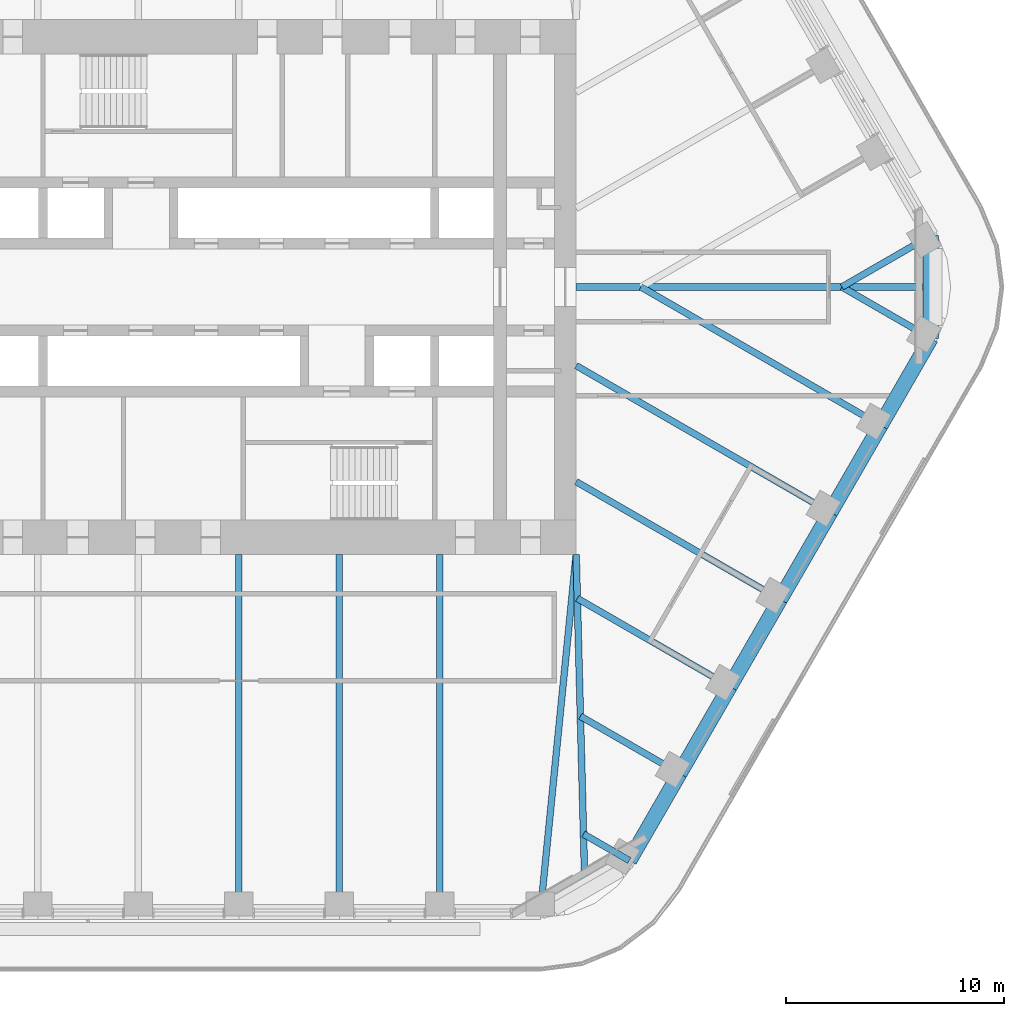
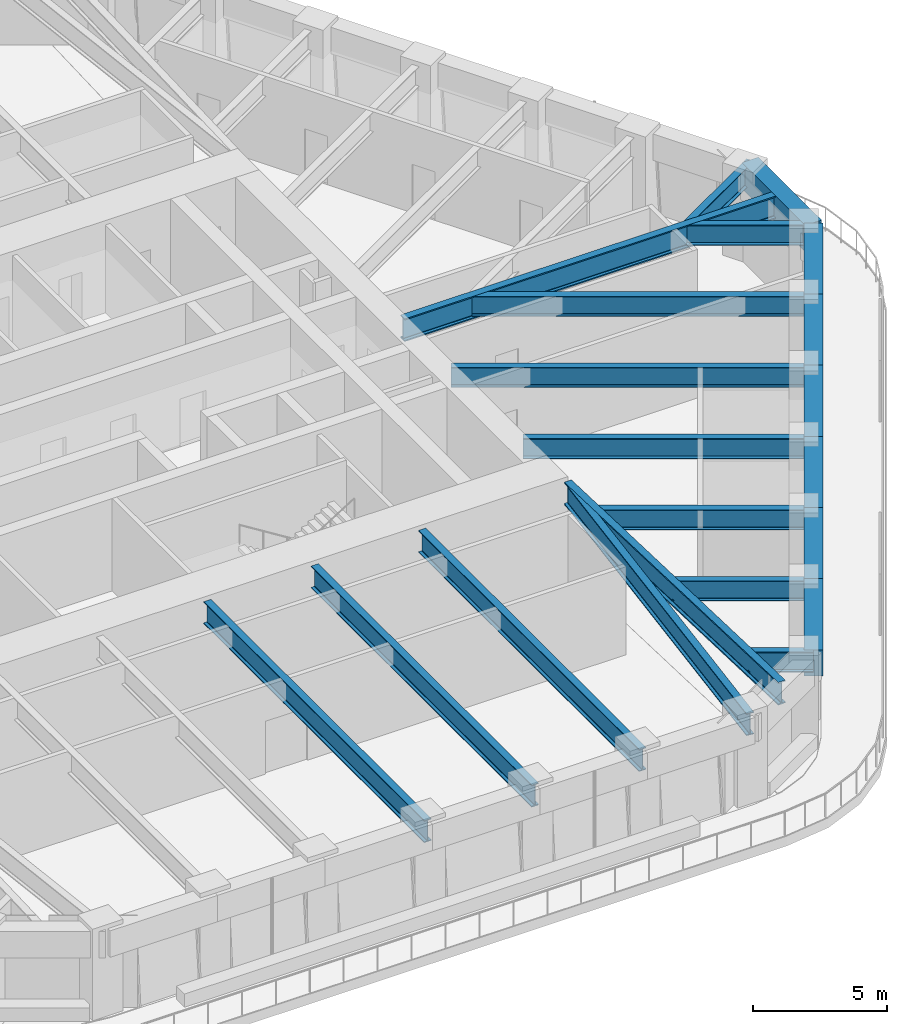
# One storey, part 5 of 20: 21 beams.
"""IFC4 building model written with IfcOpenShell, lengths in metres."""

from ifc_helpers import new_model, si_unit, direction, frame, origin, origin_2d, place, context, subcontext, project, spatial, rectangle, i_section, extrude, material, material_profile, profile_set, type_object, element, save


model = new_model("IFC4")

# Units and contexts
model_context = context("Model", 3, precision=1e-05, world=origin(), true_north=direction((0.0, 1.0)))
body_context = subcontext(model_context, "Body", "Model", "MODEL_VIEW")
ifc_project = project(units=[si_unit("LENGTHUNIT", "METRE"), si_unit("AREAUNIT", "SQUARE_METRE"), si_unit("VOLUMEUNIT", "CUBIC_METRE"), si_unit("PLANEANGLEUNIT", "RADIAN"), si_unit("MASSUNIT", "GRAM", prefix="KILO")], contexts=[model_context])

# Site, building, storey
site_placement = place(None, origin())
site = spatial("IfcSite", under=ifc_project, at=site_placement, CompositionType="ELEMENT")
building_placement = place(site_placement, origin())
building = spatial("IfcBuilding", under=site, at=building_placement, Name="Tarfa Lantern Tower", CompositionType="ELEMENT")
storey_placement = place(building_placement, frame((0.0, 0.0, 240.699951171875)))
storey = spatial("IfcBuildingStorey", under=building, at=storey_placement, Name="L54", CompositionType="ELEMENT", Elevation=240.699951171875)

# Beams
ifc_material_1 = material(Name="Concrete C80/95", Category="concrete")
ifc_material_profile_1 = material_profile(ifc_material_1, rectangle(XDim=0.699951171875, YDim=1.199951171875, at=origin_2d()), Name="RC 700x1200")
ifc_profile_set_1 = profile_set([ifc_material_profile_1], Name="Concrete C80/95")
beam_type_1 = type_object("IfcBeamType", Name="EB3 RC 700x1200", PredefinedType="SPANDREL", material=ifc_profile_set_1)
for number, where, z_axis, x_axis, name in (
    (1, (17.944091796875, -26.360107421875, 3.400146484375), (0.499987836815, 0.866032426089, 0.0), (-0.866032426089, 0.499987836815, 0.0), "Edge beam SE0"),
    (2, (20.25341796875, -22.360107421875, 3.400146484375), (0.499987836815, 0.866032426089, 0.0), (-0.866032426089, 0.499987836815, 0.0), "Edge beam SE1"),
):
    element("IfcBeam", number, at=place(storey_placement, frame(where, z_axis=z_axis, x_axis=x_axis)), inside=storey, type_object=beam_type_1, Name=name, PredefinedType="SPANDREL", context=body_context, shape_type="SweptSolid", body=[
        extrude(rectangle(XDim=0.699951171875, YDim=1.199951171875, at=origin_2d()), origin(), (0.0, 0.0, 1.0), 4.61865234375),
    ])
beam_1_placement = place(storey_placement, frame((22.562744140625, -18.360107421875, 3.400146484375), z_axis=(0.500027479704, 0.866009537788, 0.0), x_axis=(-0.866009537788, 0.500027479704, 0.0)))
element("IfcBeam", 3, at=beam_1_placement, inside=storey, type_object=beam_type_1, Name="Edge beam SE2", PredefinedType="SPANDREL", context=body_context, shape_type="SweptSolid", body=[
    extrude(rectangle(XDim=0.699951171875, YDim=1.199951171875, at=origin_2d()), origin(), (0.0, 0.0, 1.0), 4.618896484375),
])
for number, where, z_axis, x_axis, name in (
    (4, (24.872314453125, -14.360107421875, 3.400146484375), (0.499987836815, 0.866032426089, 0.0), (-0.866032426089, 0.499987836815, 0.0), "Edge beam SE3"),
    (5, (27.181640625, -10.360107421875, 3.400146484375), (0.499987836815, 0.866032426089, 0.0), (-0.866032426089, 0.499987836815, 0.0), "Edge beam SE4"),
):
    element("IfcBeam", number, at=place(storey_placement, frame(where, z_axis=z_axis, x_axis=x_axis)), inside=storey, type_object=beam_type_1, Name=name, PredefinedType="SPANDREL", context=body_context, shape_type="SweptSolid", body=[
        extrude(rectangle(XDim=0.699951171875, YDim=1.199951171875, at=origin_2d()), origin(), (0.0, 0.0, 1.0), 4.61865234375),
    ])
beam_2_placement = place(storey_placement, frame((29.490966796875, -6.360107421875, 3.400146484375), z_axis=(0.500027479704, 0.866009537788, 0.0), x_axis=(-0.866009537788, 0.500027479704, 0.0)))
element("IfcBeam", 6, at=beam_2_placement, inside=storey, type_object=beam_type_1, Name="Edge beam SE5", PredefinedType="SPANDREL", context=body_context, shape_type="SweptSolid", body=[
    extrude(rectangle(XDim=0.699951171875, YDim=1.199951171875, at=origin_2d()), origin(), (0.0, 0.0, 1.0), 4.618896484375),
])
beam_3_placement = place(storey_placement, frame((31.800537109375, -2.360107421875, 3.400146484375), z_axis=(0.0, 1.0, 0.0), x_axis=(-1.0, 0.0, 0.0)))
element("IfcBeam", 7, at=beam_3_placement, inside=storey, type_object=beam_type_1, Name="Edge beam SE6", PredefinedType="SPANDREL", context=body_context, shape_type="SweptSolid", body=[
    extrude(rectangle(XDim=0.699951171875, YDim=1.199951171875, at=origin_2d()), origin(), (0.0, 0.0, 1.0), 4.72021484375),
])
ifc_material_2 = material(Name="Steel S460M", Category="steel")
ifc_material_profile_2 = material_profile(ifc_material_2, i_section(OverallWidth=0.302001953125, OverallDepth=1.008056640625, WebThickness=0.02099609375, FlangeThickness=0.0400390625, FilletRadius=0.030029296875, at=origin_2d()), Name="UB1016x305x349")
ifc_profile_set_2 = profile_set([ifc_material_profile_2], Name="Steel S460M")
beam_type_2 = type_object("IfcBeamType", Name="UB1016x305x349", PredefinedType="BEAM", material=ifc_profile_set_2)
for number, where, z_axis, x_axis, name in (
    (8, (0.0, -28.719970703125, 3.49609375), (0.0, 1.0, 0.0), (-1.0, 0.0, 0.0), "Floor beam S3"),
    (9, (4.618896484375, -28.719970703125, 3.49609375), (0.0, 1.0, 0.0), (-1.0, 0.0, 0.0), "Floor beam S4"),
    (10, (9.237548828125, -28.719970703125, 3.49609375), (0.0, 1.0, 0.0), (-1.0, 0.0, 0.0), "Floor beam S5"),
):
    element("IfcBeam", number, at=place(storey_placement, frame(where, z_axis=z_axis, x_axis=x_axis)), inside=storey, type_object=beam_type_2, Name=name, PredefinedType="BEAM", context=body_context, shape_type="SweptSolid", body=[
        extrude(i_section(OverallWidth=0.302001953125, OverallDepth=1.008056640625, WebThickness=0.02099609375, FlangeThickness=0.0400390625, FilletRadius=0.030029296875, at=origin_2d()), origin(), (0.0, 0.0, 1.0), 16.419921875),
    ])
beam_4_placement = place(storey_placement, frame((13.8564453125, -28.719970703125, 3.49609375), z_axis=(0.099597466746, 0.995027810977, 0.0), x_axis=(-0.995027810977, 0.099597466746, 0.0)))
element("IfcBeam", 11, at=beam_4_placement, inside=storey, type_object=beam_type_2, Name="Floor beam S6", PredefinedType="BEAM", context=body_context, shape_type="SweptSolid", body=[
    extrude(i_section(OverallWidth=0.302001953125, OverallDepth=1.008056640625, WebThickness=0.02099609375, FlangeThickness=0.0400390625, FilletRadius=0.030029296875, at=origin_2d()), origin(), (0.0, 0.0, 1.0), 16.501953125),
])
ifc_material_profile_3 = material_profile(ifc_material_2, i_section(OverallWidth=0.30859375, OverallDepth=1.036376953125, WebThickness=0.030029296875, FlangeThickness=0.05419921875, FilletRadius=0.030029296875, at=origin_2d()), Name="UB1016x305x487")
ifc_profile_set_3 = profile_set([ifc_material_profile_3], Name="Steel S460M")
beam_type_3 = type_object("IfcBeamType", Name="UB1016x305x487", PredefinedType="BEAM", material=ifc_profile_set_3)
beam_5_placement = place(storey_placement, frame((15.5, 0.0, 3.48193359375), z_axis=(1.0, 0.0, 0.0), x_axis=(0.0, 1.0, 0.0)))
element("IfcBeam", 12, at=beam_5_placement, inside=storey, type_object=beam_type_3, Name="Hip girder E", PredefinedType="BEAM", context=body_context, shape_type="SweptSolid", body=[
    extrude(i_section(OverallWidth=0.30859375, OverallDepth=1.036376953125, WebThickness=0.030029296875, FlangeThickness=0.05419921875, FilletRadius=0.030029296875, at=origin_2d()), origin(), (0.0, 0.0, 1.0), 16.300537109375),
])
beam_6_placement = place(storey_placement, frame((15.5, -12.300048828125, 3.48193359375), z_axis=(0.026247301989, -0.999655480222, 0.0), x_axis=(0.999655480222, 0.026247301989, 0.0)))
element("IfcBeam", 13, at=beam_6_placement, inside=storey, type_object=beam_type_3, Name="Hip girder SE", PredefinedType="BEAM", context=body_context, shape_type="SweptSolid", body=[
    extrude(i_section(OverallWidth=0.30859375, OverallDepth=1.036376953125, WebThickness=0.030029296875, FlangeThickness=0.05419921875, FilletRadius=0.030029296875, at=origin_2d()), origin(), (0.0, 0.0, 1.0), 15.245361328125),
])
ifc_material_profile_4 = material_profile(ifc_material_2, i_section(OverallWidth=0.305419921875, OverallDepth=0.91845703125, WebThickness=0.017333984375, FlangeThickness=0.02783203125, FilletRadius=0.01904296875, at=origin_2d()), Name="UB914x305x253")
ifc_profile_set_4 = profile_set([ifc_material_profile_4], Name="Steel S460M")
beam_type_4 = type_object("IfcBeamType", Name="UB914x305x253", PredefinedType="BEAM", material=ifc_profile_set_4)
beam_7_placement = place(storey_placement, frame((31.800537109375, 2.360107421875, 3.540771484375), z_axis=(-0.866015897305, -0.500016465344, 0.0), x_axis=(0.500016465344, -0.866015897305, 0.0)))
element("IfcBeam", 14, at=beam_7_placement, inside=storey, type_object=beam_type_4, Name="Floor beam NE0", PredefinedType="BEAM", context=body_context, shape_type="SweptSolid", body=[
    extrude(i_section(OverallWidth=0.305419921875, OverallDepth=0.91845703125, WebThickness=0.017333984375, FlangeThickness=0.02783203125, FilletRadius=0.01904296875, at=origin_2d()), origin(), (0.0, 0.0, 1.0), 4.719970703125),
])
beam_8_placement = place(storey_placement, frame((17.944091796875, -26.360107421875, 3.540771484375), z_axis=(-0.865980009423, 0.5000786171, 0.0), x_axis=(-0.5000786171, -0.865980009423, 0.0)))
element("IfcBeam", 15, at=beam_8_placement, inside=storey, type_object=beam_type_4, Name="Floor beam SE0", PredefinedType="BEAM", context=body_context, shape_type="SweptSolid", body=[
    extrude(i_section(OverallWidth=0.305419921875, OverallDepth=0.91845703125, WebThickness=0.017333984375, FlangeThickness=0.02783203125, FilletRadius=0.01904296875, at=origin_2d()), origin(), (0.0, 0.0, 1.0), 2.4326171875),
])
beam_9_placement = place(storey_placement, frame((20.25341796875, -22.360107421875, 3.540771484375), z_axis=(-0.86601951648, 0.500010196972, 0.0), x_axis=(-0.500010196972, -0.86601951648, 0.0)))
element("IfcBeam", 16, at=beam_9_placement, inside=storey, type_object=beam_type_4, Name="Floor beam SE1", PredefinedType="BEAM", context=body_context, shape_type="SweptSolid", body=[
    extrude(i_section(OverallWidth=0.305419921875, OverallDepth=0.91845703125, WebThickness=0.017333984375, FlangeThickness=0.02783203125, FilletRadius=0.01904296875, at=origin_2d()), origin(), (0.0, 0.0, 1.0), 5.263671875),
])
beam_10_placement = place(storey_placement, frame((22.562744140625, -18.360107421875, 3.540771484375), z_axis=(-0.866010787764, 0.500025314835, 0.0), x_axis=(-0.500025314835, -0.866010787764, 0.0)))
element("IfcBeam", 17, at=beam_10_placement, inside=storey, type_object=beam_type_4, Name="Floor beam SE2", PredefinedType="BEAM", context=body_context, shape_type="SweptSolid", body=[
    extrude(i_section(OverallWidth=0.305419921875, OverallDepth=0.91845703125, WebThickness=0.017333984375, FlangeThickness=0.02783203125, FilletRadius=0.01904296875, at=origin_2d()), origin(), (0.0, 0.0, 1.0), 8.09423828125),
])
beam_11_placement = place(storey_placement, frame((24.872314453125, -14.360107421875, 3.540771484375), z_axis=(-0.8660244219, 0.500001700669, 0.0), x_axis=(-0.500001700669, -0.8660244219, 0.0)))
element("IfcBeam", 18, at=beam_11_placement, inside=storey, type_object=beam_type_4, Name="Floor beam SE3", PredefinedType="BEAM", context=body_context, shape_type="SweptSolid", body=[
    extrude(i_section(OverallWidth=0.305419921875, OverallDepth=0.91845703125, WebThickness=0.017333984375, FlangeThickness=0.02783203125, FilletRadius=0.01904296875, at=origin_2d()), origin(), (0.0, 0.0, 1.0), 10.822265625),
])
beam_12_placement = place(storey_placement, frame((27.181640625, -10.360107421875, 3.540771484375), z_axis=(-0.866018002818, 0.500012818631, 0.0), x_axis=(-0.500012818631, -0.866018002818, 0.0)))
element("IfcBeam", 19, at=beam_12_placement, inside=storey, type_object=beam_type_4, Name="Floor beam SE4", PredefinedType="BEAM", context=body_context, shape_type="SweptSolid", body=[
    extrude(i_section(OverallWidth=0.305419921875, OverallDepth=0.91845703125, WebThickness=0.017333984375, FlangeThickness=0.02783203125, FilletRadius=0.01904296875, at=origin_2d()), origin(), (0.0, 0.0, 1.0), 13.489013671875),
])
beam_13_placement = place(storey_placement, frame((29.490966796875, -6.360107421875, 3.540771484375), z_axis=(-0.866022258038, 0.500005448553, 0.0), x_axis=(-0.500005448553, -0.866022258038, 0.0)))
element("IfcBeam", 20, at=beam_13_placement, inside=storey, type_object=beam_type_4, Name="Floor beam SE5", PredefinedType="BEAM", context=body_context, shape_type="SweptSolid", body=[
    extrude(i_section(OverallWidth=0.305419921875, OverallDepth=0.91845703125, WebThickness=0.017333984375, FlangeThickness=0.02783203125, FilletRadius=0.01904296875, at=origin_2d()), origin(), (0.0, 0.0, 1.0), 12.719970703125),
])
beam_14_placement = place(storey_placement, frame((31.800537109375, -2.360107421875, 3.540771484375), z_axis=(-0.866015897305, 0.500016465344, 0.0), x_axis=(-0.500016465344, -0.866015897305, 0.0)))
element("IfcBeam", 21, at=beam_14_placement, inside=storey, type_object=beam_type_4, Name="Floor beam SE6", PredefinedType="BEAM", context=body_context, shape_type="SweptSolid", body=[
    extrude(i_section(OverallWidth=0.305419921875, OverallDepth=0.91845703125, WebThickness=0.017333984375, FlangeThickness=0.02783203125, FilletRadius=0.01904296875, at=origin_2d()), origin(), (0.0, 0.0, 1.0), 4.719970703125),
])

save(model, "model.ifc")
